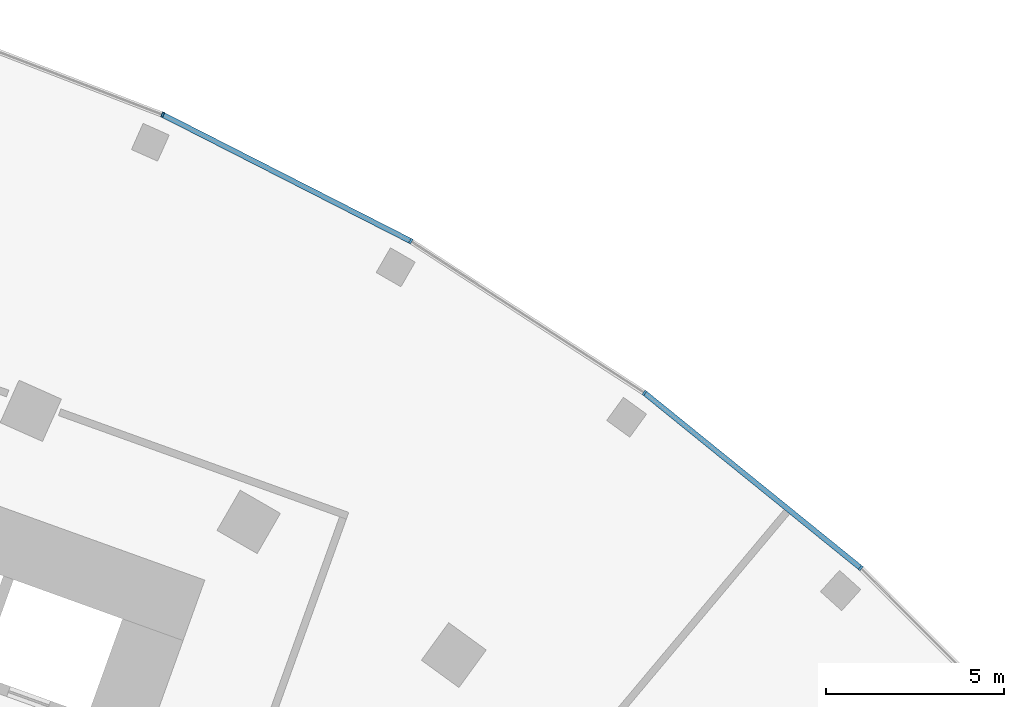
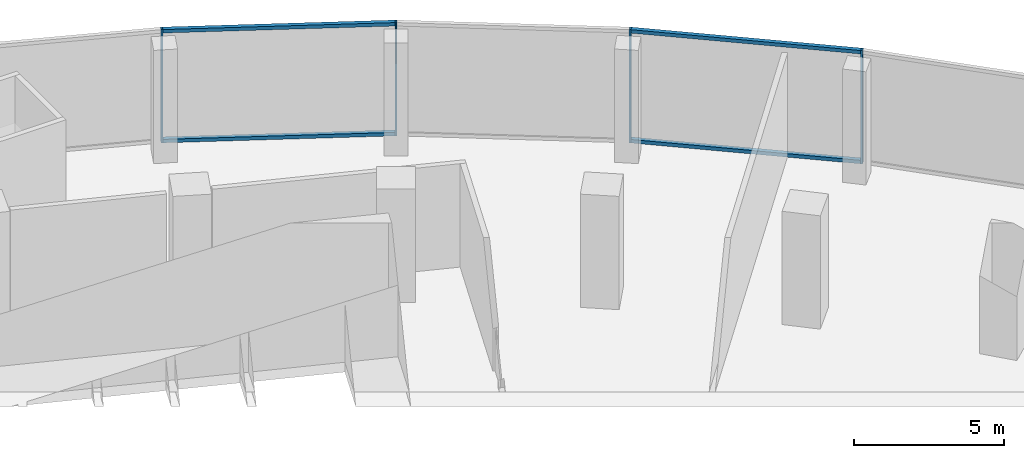
# One storey, part 13 of 40: 8 members, 1 element without a shape of its own.
"""IFC4 building model written with IfcOpenShell, lengths in metres."""

from ifc_helpers import new_model, si_unit, direction, frame, origin, origin_2d, place, context, subcontext, project, spatial, rectangle, extrude, material, layer, layer_set, material_profile, profile_set, type_object, element, aggregate, save


model = new_model("IFC4")

# Units and contexts
model_context = context("Model", 3, precision=1e-05, world=origin(), true_north=direction((0.0, 1.0)))
body_context = subcontext(model_context, "Body", "Model", "MODEL_VIEW")
ifc_project = project(units=[si_unit("LENGTHUNIT", "METRE"), si_unit("AREAUNIT", "SQUARE_METRE"), si_unit("VOLUMEUNIT", "CUBIC_METRE"), si_unit("PLANEANGLEUNIT", "RADIAN"), si_unit("MASSUNIT", "GRAM", prefix="KILO")], contexts=[model_context])

# Site, building, storey
site_placement = place(None, origin())
site = spatial("IfcSite", under=ifc_project, at=site_placement, CompositionType="ELEMENT")
building_placement = place(site_placement, origin())
building = spatial("IfcBuilding", under=site, at=building_placement, Name="Stone Belt Terrace Tower", CompositionType="ELEMENT")
storey_placement = place(building_placement, frame((0.0, 0.0, 7.0)))
storey = spatial("IfcBuildingStorey", under=building, at=storey_placement, Name="L01", CompositionType="ELEMENT", Elevation=7.0)

# Curtain wall, members
ifc_material = material(Name="Aluminium 6063-T6 anodised frame", Category="aluminium")
ifc_layer = layer(ifc_material, 0.14990234375)
ifc_layer_set = layer_set([ifc_layer], Name="CW-D podium shopfront")
curtain_wall_type = type_object("IfcCurtainWallType", Name="CW-D podium shopfront", PredefinedType="NOTDEFINED", material=ifc_layer_set)
curtain_wall_placement = place(storey_placement, origin())
curtain_wall = element("IfcCurtainWall", 1, at=curtain_wall_placement, inside=storey, type_object=curtain_wall_type, Name="CW-D convex face L01", PredefinedType="NOTDEFINED")
ifc_material_profile_1 = material_profile(ifc_material, rectangle(XDim=0.14990234375, YDim=0.06005859375, at=origin_2d()), Name="Aluminium 6063-T6 60x150")
ifc_profile_set_1 = profile_set([ifc_material_profile_1], Name="Aluminium 6063-T6 anodised frame")
member_type_1 = type_object("IfcMemberType", Name="CW-D mullion 60 x 150", PredefinedType="MULLION", material=ifc_profile_set_1)
member_1_placement = place(storey_placement, frame((49.900390625, 55.420166015625, 0.0), z_axis=(0.0, 0.0, 1.0), x_axis=(-0.669130606359, -0.743144825477, 0.0)))
member_1 = element("IfcMember", 2, at=member_1_placement, type_object=member_type_1, Name="CW-D mullion 6", PredefinedType="MULLION", context=body_context, shape_type="SweptSolid", body=[
    extrude(rectangle(XDim=0.14990234375, YDim=0.06005859375, at=origin_2d()), origin(), (0.0, 0.0, 1.0), 4.60009765625),
])
member_2_placement = place(storey_placement, frame((43.834228515625, 60.33251953125, 0.0), z_axis=(0.0, 0.0, 1.0), x_axis=(-0.587785252292, -0.809016994375, 0.0)))
member_2 = element("IfcMember", 3, at=member_2_placement, type_object=member_type_1, Name="CW-D mullion 7", PredefinedType="MULLION", context=body_context, shape_type="SweptSolid", body=[
    extrude(rectangle(XDim=0.14990234375, YDim=0.06005859375, at=origin_2d()), origin(), (0.0, 0.0, 1.0), 4.60009765625),
])
member_3_placement = place(storey_placement, frame((37.28759765625, 64.583984375, 0.0), z_axis=(0.0, 0.0, 1.0), x_axis=(-0.5, -0.866025403784, 0.0)))
member_3 = element("IfcMember", 4, at=member_3_placement, type_object=member_type_1, Name="CW-D mullion 8", PredefinedType="MULLION", context=body_context, shape_type="SweptSolid", body=[
    extrude(rectangle(XDim=0.14990234375, YDim=0.06005859375, at=origin_2d()), origin(), (0.0, 0.0, 1.0), 4.60009765625),
])
member_4_placement = place(storey_placement, frame((30.33251953125, 68.127685546875, 0.0), z_axis=(0.0, 0.0, 1.0), x_axis=(-0.406736643076, -0.913545457643, 0.0)))
member_4 = element("IfcMember", 5, at=member_4_placement, type_object=member_type_1, Name="CW-D mullion 9", PredefinedType="MULLION", context=body_context, shape_type="SweptSolid", body=[
    extrude(rectangle(XDim=0.14990234375, YDim=0.06005859375, at=origin_2d()), origin(), (0.0, 0.0, 1.0), 4.60009765625),
])
ifc_material_profile_2 = material_profile(ifc_material, rectangle(XDim=0.14990234375, YDim=0.139892578125, at=origin_2d()), Name="Aluminium 6063-T6 150x140")
ifc_profile_set_2 = profile_set([ifc_material_profile_2], Name="Aluminium 6063-T6 anodised frame")
member_type_2 = type_object("IfcMemberType", Name="CW-D transom 140 x 150", PredefinedType="USERDEFINED", material=ifc_profile_set_2)
member_5_placement = place(storey_placement, frame((49.874267578125, 55.44140625, 0.070068359375), z_axis=(-0.777139794023, 0.62932800712, 0.0), x_axis=(-0.62932800712, -0.777139794023, 0.0)))
member_5 = element("IfcMember", 6, at=member_5_placement, type_object=member_type_2, Name="CW-D transom 6.1", ObjectType="TRANSOM", PredefinedType="USERDEFINED", context=body_context, shape_type="SweptSolid", body=[
    extrude(rectangle(XDim=0.14990234375, YDim=0.139892578125, at=origin_2d()), origin(), (0.0, 0.0, 1.0), 7.73828125),
])
member_6_placement = place(storey_placement, frame((49.874267578125, 55.44140625, 4.530029296875), z_axis=(-0.777139794023, 0.62932800712, 0.0), x_axis=(-0.62932800712, -0.777139794023, 0.0)))
member_6 = element("IfcMember", 7, at=member_6_placement, type_object=member_type_2, Name="CW-D transom 6.2", ObjectType="TRANSOM", PredefinedType="USERDEFINED", context=body_context, shape_type="SweptSolid", body=[
    extrude(rectangle(XDim=0.14990234375, YDim=0.139892578125, at=origin_2d()), origin(), (0.0, 0.0, 1.0), 7.73828125),
])
member_7_placement = place(storey_placement, frame((37.25732421875, 64.599365234375, 0.070068359375), z_axis=(-0.891013010183, 0.453977770034, 0.0), x_axis=(-0.453977770034, -0.891013010183, 0.0)))
member_7 = element("IfcMember", 8, at=member_7_placement, type_object=member_type_2, Name="CW-D transom 8.1", ObjectType="TRANSOM", PredefinedType="USERDEFINED", context=body_context, shape_type="SweptSolid", body=[
    extrude(rectangle(XDim=0.14990234375, YDim=0.139892578125, at=origin_2d()), origin(), (0.0, 0.0, 1.0), 7.738037109375),
])
member_8_placement = place(storey_placement, frame((37.25732421875, 64.599365234375, 4.530029296875), z_axis=(-0.891013010183, 0.453977770034, 0.0), x_axis=(-0.453977770034, -0.891013010183, 0.0)))
member_8 = element("IfcMember", 9, at=member_8_placement, type_object=member_type_2, Name="CW-D transom 8.2", ObjectType="TRANSOM", PredefinedType="USERDEFINED", context=body_context, shape_type="SweptSolid", body=[
    extrude(rectangle(XDim=0.14990234375, YDim=0.139892578125, at=origin_2d()), origin(), (0.0, 0.0, 1.0), 7.738037109375),
])
aggregate(curtain_wall, [member_1, member_2, member_3, member_4, member_5, member_6, member_7, member_8])

save(model, "model.ifc")
